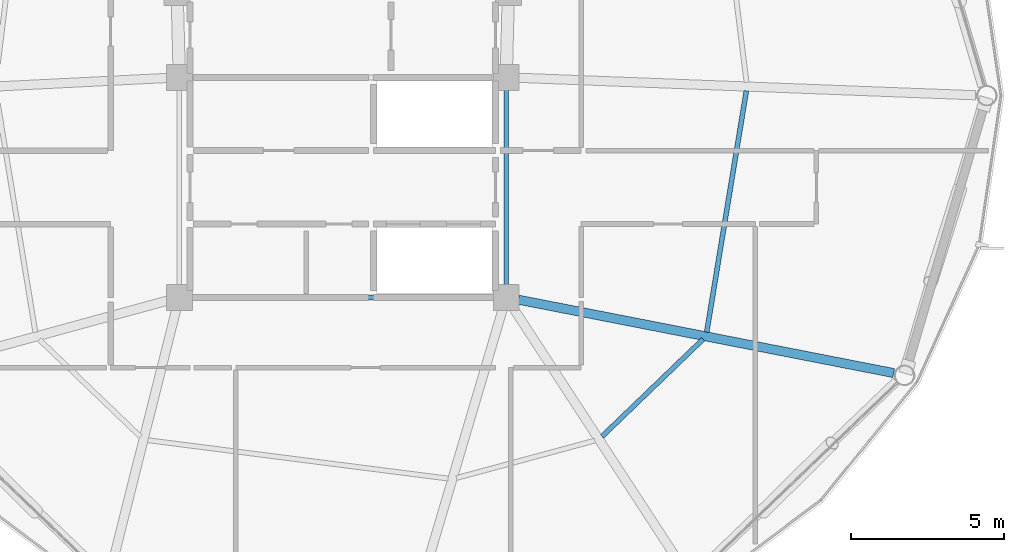
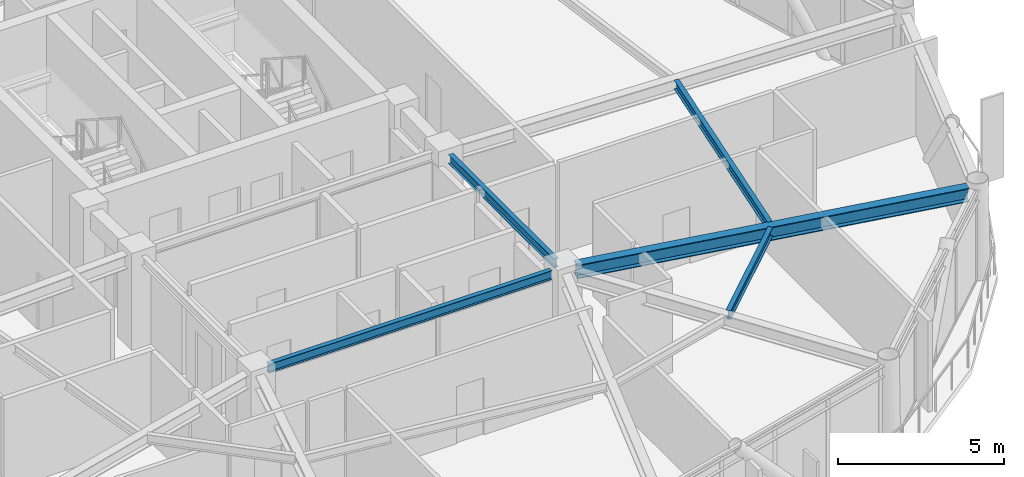
# One storey, part 10 of 28: 5 beams.
"""IFC4 building model written with IfcOpenShell, lengths in metres."""

import ifcopenshell
import ifcopenshell.guid

model = None  # the IFC model being written
_history = None  # IfcOwnerHistory: only IFC2X3 demands one
_inside = {}  # id of a spatial element -> (the spatial element, [elements in it])
_under = {}  # id of a project, library or spatial element -> (it, [spatial elements below it])
_declared = {}  # id of a project -> (the project, [libraries it declares])
_typed = {}  # id of a type object -> (the type object, [elements of that type])
_made_of = {}  # id of a material, layer set ... -> (it, [elements and type objects made of it])


def new_model(schema):
    """Start an empty IFC model of exactly this schema.

    Asked for "IFC4X3", IfcOpenShell would pick the latest addendum, in which some entities
    have other attributes; the version numbers below select the first issue.
    IFC2X3 requires an IfcOwnerHistory on every rooted entity: one is made here for all.
    """
    global model, _history
    if schema == "IFC4X3":
        model = ifcopenshell.file(schema_version=(4, 3, 0, 0))
    else:
        model = ifcopenshell.file(schema=schema)
    _inside.clear()
    _under.clear()
    _declared.clear()
    _typed.clear()
    _made_of.clear()
    _history = None
    if model.schema == "IFC2X3":
        org = make("IfcOrganization", Name="unknown")
        user = make(
            "IfcPersonAndOrganization",
            ThePerson=make("IfcPerson", FamilyName="unknown"),
            TheOrganization=org,
        )
        app = make(
            "IfcApplication",
            ApplicationDeveloper=org,
            Version="unknown",
            ApplicationFullName="unknown",
            ApplicationIdentifier="unknown",
        )
        _history = make(
            "IfcOwnerHistory",
            OwningUser=user,
            OwningApplication=app,
            ChangeAction="ADDED",
            CreationDate=0,
        )
    return model


def make(cls, **values):
    """One entity of the class cls with the attributes given. An attribute that is None is left unset."""
    return model.create_entity(
        cls, **{name: value for name, value in values.items() if value is not None}
    )


def rooted(cls, **values):
    """An entity with a GlobalId (a new one), such as an element, a storey or a relation."""
    return make(cls, GlobalId=ifcopenshell.guid.new(), OwnerHistory=_history, **values)


def si_unit(unit_type, name, prefix=None):
    """IfcSIUnit, for example si_unit("LENGTHUNIT", "METRE", prefix="MILLI")."""
    return make("IfcSIUnit", UnitType=unit_type, Prefix=prefix, Name=name)


def assignment(units):
    """IfcUnitAssignment: the units of a project."""
    return None if units is None else make("IfcUnitAssignment", Units=units)


def point(xyz):
    """IfcCartesianPoint."""
    return None if xyz is None else make("IfcCartesianPoint", Coordinates=xyz)


def direction(xyz):
    """IfcDirection."""
    return None if xyz is None else make("IfcDirection", DirectionRatios=xyz)


def frame(location, z_axis=None, x_axis=None):
    """IfcAxis2Placement3D, a coordinate frame: its origin and axes. An axis left out is left unset."""
    return make(
        "IfcAxis2Placement3D",
        Location=point(location),
        Axis=direction(z_axis),
        RefDirection=direction(x_axis),
    )


def frame_2d(location, x_axis=None):
    """IfcAxis2Placement2D, a coordinate frame in the plane: its origin and x axis."""
    return make(
        "IfcAxis2Placement2D", Location=point(location), RefDirection=direction(x_axis)
    )


def origin():
    """The frame at (0, 0, 0) with its axes left unset."""
    return frame((0.0, 0.0, 0.0))


def origin_2d():
    """The frame at (0, 0) in the plane with its x axis left unset."""
    return frame_2d((0.0, 0.0))


def place(relative_to, where):
    """IfcLocalPlacement: puts the frame where relative to a parent placement (None: the world)."""
    return make(
        "IfcLocalPlacement", PlacementRelTo=relative_to, RelativePlacement=where
    )


def context(
    kind, dimensions, precision=None, world=None, true_north=None, identifier=None
):
    """IfcGeometricRepresentationContext, for example the 3D "Model" context."""
    return make(
        "IfcGeometricRepresentationContext",
        ContextIdentifier=identifier,
        ContextType=kind,
        CoordinateSpaceDimension=dimensions,
        Precision=precision,
        WorldCoordinateSystem=world,
        TrueNorth=true_north,
    )


def subcontext(parent, identifier, kind, view, scale=None):
    """IfcGeometricRepresentationSubContext, for example "Body" below "Model"."""
    return make(
        "IfcGeometricRepresentationSubContext",
        ContextIdentifier=identifier,
        ContextType=kind,
        ParentContext=parent,
        TargetScale=scale,
        TargetView=view,
    )


def project(units=None, contexts=None):
    """IfcProject with its units and contexts."""
    return rooted(
        "IfcProject",
        Name="project",
        RepresentationContexts=contexts,
        UnitsInContext=assignment(units),
    )


def spatial(cls, under=None, at=None, **own):
    """A site, building, storey or space (cls), placed at a placement, below another one or the project."""
    s = rooted(cls, ObjectPlacement=at, **own)
    if under is not None:
        _under.setdefault(under.id(), (under, []))[1].append(s)
    return s


def profile(cls, at=None, kind="AREA", **sizes):
    """A parametric profile (cls). Its sizes go by their IFC names, for example OverallWidth=200.0."""
    return make(cls, ProfileType=kind, Position=at, **sizes)


def i_section(**sizes):
    """IfcIShapeProfileDef."""
    return profile("IfcIShapeProfileDef", **sizes)


def extrude(swept, where, along, depth):
    """IfcExtrudedAreaSolid: the profile swept, set in the frame where, extruded along a direction by depth."""
    return make(
        "IfcExtrudedAreaSolid",
        SweptArea=swept,
        Position=where,
        ExtrudedDirection=direction(along),
        Depth=depth,
    )


def shape(context_of_items, identifier, shape_type, items):
    """IfcShapeRepresentation: the items that make up one representation, for example the "Body"."""
    return make(
        "IfcShapeRepresentation",
        ContextOfItems=context_of_items,
        RepresentationIdentifier=identifier,
        RepresentationType=shape_type,
        Items=items,
    )


def material(Name=None, Category=None):
    """IfcMaterial."""
    return make("IfcMaterial", Name=Name, Category=Category)


def material_profile(
    of_material, cross_section, Name=None, Category=None, Priority=None
):
    """IfcMaterialProfile: a cross section and its material."""
    return make(
        "IfcMaterialProfile",
        Name=Name,
        Material=of_material,
        Profile=cross_section,
        Priority=Priority,
        Category=Category,
    )


def profile_set(profiles, Name=None, composite=None):
    """IfcMaterialProfileSet."""
    return make(
        "IfcMaterialProfileSet",
        Name=Name,
        MaterialProfiles=profiles,
        CompositeProfile=composite,
    )


def made_of(thing, what):
    """Note that an element or type object is made of a material, layer set ...; save() writes the relation."""
    if what is not None:
        _made_of.setdefault(what.id(), (what, []))[1].append(thing)
    return thing


def type_object(cls, material=None, **own):
    """A type object (cls), such as IfcWallType, which elements share."""
    return made_of(rooted(cls, **own), material)


def element(
    cls,
    number,
    at=None,
    inside=None,
    cuts=None,
    type_object=None,
    material=None,
    context=None,
    identifier="Body",
    shape_type=None,
    held_by="IfcProductDefinitionShape",
    body=None,
    shapes=None,
    **own,
):
    """One element of the class cls, such as IfcWall. Its Tag is "e" and its number.

    at: its placement. inside: the storey or other place that contains it. cuts: it is an
    opening in that element (IfcRelVoidsElement). A single representation is given by context,
    identifier, shape_type and body (its items); several are given by shapes. held_by: the class
    of the entity that holds the representations. save() writes the other relations.
    """
    e = rooted(cls, Tag="e%d" % number, ObjectPlacement=at, **own)
    if body is not None:
        shapes = [shape(context, identifier, shape_type, body)]
    if shapes is not None:
        e.Representation = make(held_by, Representations=shapes)
    if inside is not None:
        _inside.setdefault(inside.id(), (inside, []))[1].append(e)
    if cuts is not None:
        rooted(
            "IfcRelVoidsElement", RelatingBuildingElement=cuts, RelatedOpeningElement=e
        )
    if type_object is not None:
        _typed.setdefault(type_object.id(), (type_object, []))[1].append(e)
    return made_of(e, material)


def aggregate(whole, parts):
    """IfcRelAggregates: a whole, such as a stair, and the parts it consists of."""
    return rooted("IfcRelAggregates", RelatingObject=whole, RelatedObjects=parts)


def save(model, path):
    """Write the relations noted so far, then the file.

    IfcRelAggregates (storeys below a building ...), IfcRelContainedInSpatialStructure (elements
    in a storey), IfcRelDefinesByType, IfcRelAssociatesMaterial and IfcRelDeclares: one each for
    every whole, place, type object, material and project.
    """
    for whole, parts in _under.values():
        aggregate(whole, parts)
    for where, things in _inside.values():
        rooted(
            "IfcRelContainedInSpatialStructure",
            RelatedElements=things,
            RelatingStructure=where,
        )
    for kind, things in _typed.values():
        rooted("IfcRelDefinesByType", RelatedObjects=things, RelatingType=kind)
    for what, things in _made_of.values():
        rooted("IfcRelAssociatesMaterial", RelatedObjects=things, RelatingMaterial=what)
    for by, libraries in _declared.values():
        rooted("IfcRelDeclares", RelatingContext=by, RelatedDefinitions=libraries)
    model.write(path)


model = new_model("IFC4")

# Units and contexts
model_context = context("Model", 3, precision=1e-05, world=origin(), true_north=direction((0.0, 1.0)))
body_context = subcontext(model_context, "Body", "Model", "MODEL_VIEW")
ifc_project = project(units=[si_unit("LENGTHUNIT", "METRE"), si_unit("AREAUNIT", "SQUARE_METRE"), si_unit("VOLUMEUNIT", "CUBIC_METRE"), si_unit("PLANEANGLEUNIT", "RADIAN"), si_unit("MASSUNIT", "GRAM", prefix="KILO")], contexts=[model_context])

# Site, building, storey
site_placement = place(None, origin())
site = spatial("IfcSite", under=ifc_project, at=site_placement, CompositionType="ELEMENT")
building_placement = place(site_placement, origin())
building = spatial("IfcBuilding", under=site, at=building_placement, Name="Varnakorn Sky Granary", CompositionType="ELEMENT")
storey_placement = place(building_placement, frame((0.0, 0.0, 207.60009765625)))
storey = spatial("IfcBuildingStorey", under=building, at=storey_placement, Name="L52", CompositionType="ELEMENT", Elevation=207.60009765625)

# Beams
ifc_material = material(Name="Steel S355JR", Category="steel")
ifc_material_profile_1 = material_profile(ifc_material, i_section(OverallWidth=0.300048828125, OverallDepth=0.5, WebThickness=0.014404296875, FlangeThickness=0.028076171875, at=origin_2d()), Name="HE 500 B")
ifc_profile_set_1 = profile_set([ifc_material_profile_1], Name="Steel S355JR")
beam_type_1 = type_object("IfcBeamType", Name="BM-RAD-Z4", PredefinedType="BEAM", material=ifc_profile_set_1)
beam_1_placement = place(storey_placement, frame((8.74755859375, -6.677734375, 3.10986328125), z_axis=(0.981435630532, -0.191791822356, 0.0), x_axis=(0.191791822356, 0.981435630532, 0.0)))
element("IfcBeam", 1, at=beam_1_placement, inside=storey, type_object=beam_type_1, Name="Radial Floor Girder RG12 L52", PredefinedType="BEAM", context=body_context, shape_type="SweptSolid", body=[
    extrude(i_section(OverallWidth=0.300048828125, OverallDepth=0.5, WebThickness=0.014404296875, FlangeThickness=0.028076171875, at=origin_2d()), origin(), (0.0, 0.0, 1.0), 12.512939453125),
])
ifc_material_profile_2 = material_profile(ifc_material, i_section(OverallWidth=0.159912109375, OverallDepth=0.330078125, WebThickness=0.007568359375, FlangeThickness=0.011474609375, at=origin_2d()), Name="IPE 330")
ifc_profile_set_2 = profile_set([ifc_material_profile_2], Name="Steel S355JR")
beam_type_2 = type_object("IfcBeamType", Name="BM-SEC-Z4", PredefinedType="BEAM", material=ifc_profile_set_2)
beam_2_placement = place(storey_placement, frame((11.48486328125, -11.154296875, 3.19482421875), z_axis=(0.720374417448, 0.69358539394, 0.0), x_axis=(-0.69358539394, 0.720374417448, 0.0)))
element("IfcBeam", 2, at=beam_2_placement, inside=storey, type_object=beam_type_2, Name="Secondary Floor Chord Beam MSB11 L52", PredefinedType="BEAM", context=body_context, shape_type="SweptSolid", body=[
    extrude(i_section(OverallWidth=0.159912109375, OverallDepth=0.330078125, WebThickness=0.007568359375, FlangeThickness=0.011474609375, at=origin_2d()), origin(), (0.0, 0.0, 1.0), 4.583984375),
])
beam_3_placement = place(storey_placement, frame((14.91064453125, -7.739501953125, 3.19482421875), z_axis=(0.162148432631, 0.986766378529, 0.0), x_axis=(-0.986766378529, 0.162148432631, 0.0)))
element("IfcBeam", 3, at=beam_3_placement, inside=storey, type_object=beam_type_2, Name="Secondary Floor Chord Beam MSB12 L52", PredefinedType="BEAM", context=body_context, shape_type="SweptSolid", body=[
    extrude(i_section(OverallWidth=0.159912109375, OverallDepth=0.330078125, WebThickness=0.007568359375, FlangeThickness=0.011474609375, at=origin_2d()), origin(), (0.0, 0.0, 1.0), 8.005615234375),
])
beam_4_placement = place(storey_placement, frame((8.35009765625, 0.195068359375, 3.19482421875), z_axis=(0.0, -1.0, 0.0), x_axis=(1.0, 0.0, 0.0)))
element("IfcBeam", 4, at=beam_4_placement, inside=storey, type_object=beam_type_2, Name="Core Spine Framing Beam 4 L52", PredefinedType="BEAM", context=body_context, shape_type="SweptSolid", body=[
    extrude(i_section(OverallWidth=0.159912109375, OverallDepth=0.330078125, WebThickness=0.007568359375, FlangeThickness=0.011474609375, at=origin_2d()), origin(), (0.0, 0.0, 1.0), 6.39013671875),
])
beam_5_placement = place(storey_placement, frame((-1.945068359375, -6.60009765625, 3.19482421875), z_axis=(1.0, 0.0, 0.0), x_axis=(0.0, 1.0, 0.0)))
element("IfcBeam", 5, at=beam_5_placement, inside=storey, type_object=beam_type_2, Name="Core Spine Framing Beam 6 L52", PredefinedType="BEAM", context=body_context, shape_type="SweptSolid", body=[
    extrude(i_section(OverallWidth=0.159912109375, OverallDepth=0.330078125, WebThickness=0.007568359375, FlangeThickness=0.011474609375, at=origin_2d()), origin(), (0.0, 0.0, 1.0), 9.89013671875),
])

save(model, "model.ifc")
